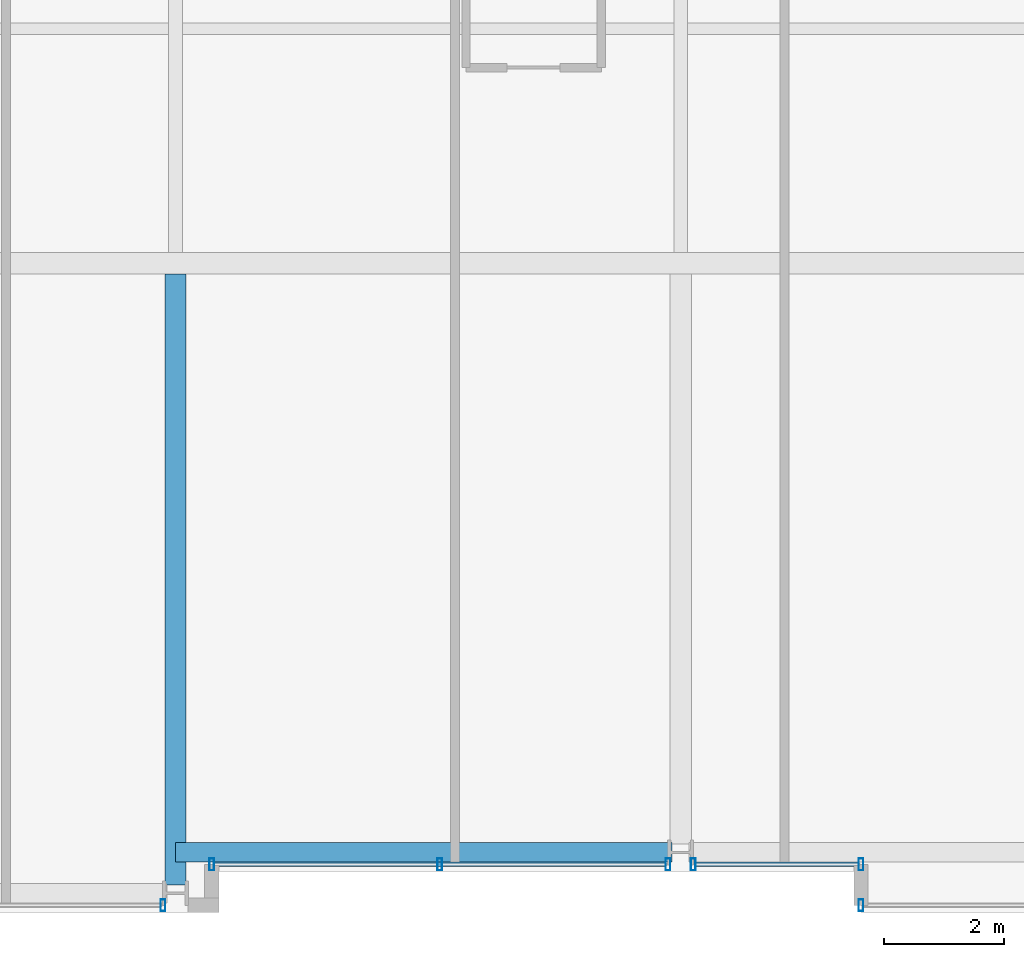
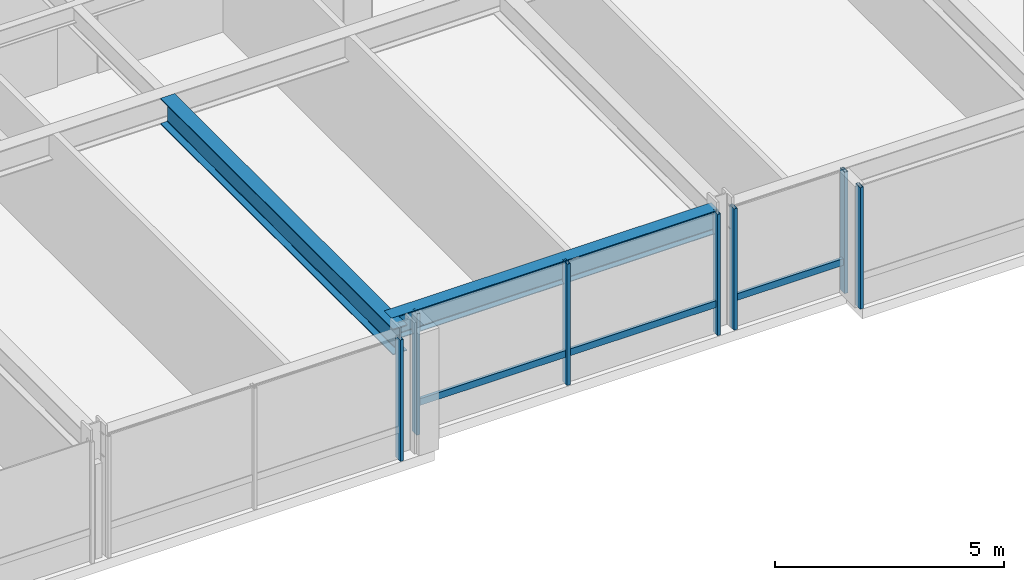
# One storey, part 5 of 33: 9 members, 2 beams, 4 elements without a shape of their own.
"""IFC4 building model written with IfcOpenShell, lengths in metres."""

import ifcopenshell
import ifcopenshell.guid

model = None  # the IFC model being written
_history = None  # IfcOwnerHistory: only IFC2X3 demands one
_inside = {}  # id of a spatial element -> (the spatial element, [elements in it])
_under = {}  # id of a project, library or spatial element -> (it, [spatial elements below it])
_declared = {}  # id of a project -> (the project, [libraries it declares])
_typed = {}  # id of a type object -> (the type object, [elements of that type])
_made_of = {}  # id of a material, layer set ... -> (it, [elements and type objects made of it])


def new_model(schema):
    """Start an empty IFC model of exactly this schema.

    Asked for "IFC4X3", IfcOpenShell would pick the latest addendum, in which some entities
    have other attributes; the version numbers below select the first issue.
    IFC2X3 requires an IfcOwnerHistory on every rooted entity: one is made here for all.
    """
    global model, _history
    if schema == "IFC4X3":
        model = ifcopenshell.file(schema_version=(4, 3, 0, 0))
    else:
        model = ifcopenshell.file(schema=schema)
    _inside.clear()
    _under.clear()
    _declared.clear()
    _typed.clear()
    _made_of.clear()
    _history = None
    if model.schema == "IFC2X3":
        org = make("IfcOrganization", Name="unknown")
        user = make(
            "IfcPersonAndOrganization",
            ThePerson=make("IfcPerson", FamilyName="unknown"),
            TheOrganization=org,
        )
        app = make(
            "IfcApplication",
            ApplicationDeveloper=org,
            Version="unknown",
            ApplicationFullName="unknown",
            ApplicationIdentifier="unknown",
        )
        _history = make(
            "IfcOwnerHistory",
            OwningUser=user,
            OwningApplication=app,
            ChangeAction="ADDED",
            CreationDate=0,
        )
    return model


def make(cls, **values):
    """One entity of the class cls with the attributes given. An attribute that is None is left unset."""
    return model.create_entity(
        cls, **{name: value for name, value in values.items() if value is not None}
    )


def rooted(cls, **values):
    """An entity with a GlobalId (a new one), such as an element, a storey or a relation."""
    return make(cls, GlobalId=ifcopenshell.guid.new(), OwnerHistory=_history, **values)


def si_unit(unit_type, name, prefix=None):
    """IfcSIUnit, for example si_unit("LENGTHUNIT", "METRE", prefix="MILLI")."""
    return make("IfcSIUnit", UnitType=unit_type, Prefix=prefix, Name=name)


def assignment(units):
    """IfcUnitAssignment: the units of a project."""
    return None if units is None else make("IfcUnitAssignment", Units=units)


def point(xyz):
    """IfcCartesianPoint."""
    return None if xyz is None else make("IfcCartesianPoint", Coordinates=xyz)


def direction(xyz):
    """IfcDirection."""
    return None if xyz is None else make("IfcDirection", DirectionRatios=xyz)


def frame(location, z_axis=None, x_axis=None):
    """IfcAxis2Placement3D, a coordinate frame: its origin and axes. An axis left out is left unset."""
    return make(
        "IfcAxis2Placement3D",
        Location=point(location),
        Axis=direction(z_axis),
        RefDirection=direction(x_axis),
    )


def frame_2d(location, x_axis=None):
    """IfcAxis2Placement2D, a coordinate frame in the plane: its origin and x axis."""
    return make(
        "IfcAxis2Placement2D", Location=point(location), RefDirection=direction(x_axis)
    )


def origin():
    """The frame at (0, 0, 0) with its axes left unset."""
    return frame((0.0, 0.0, 0.0))


def origin_2d():
    """The frame at (0, 0) in the plane with its x axis left unset."""
    return frame_2d((0.0, 0.0))


def place(relative_to, where):
    """IfcLocalPlacement: puts the frame where relative to a parent placement (None: the world)."""
    return make(
        "IfcLocalPlacement", PlacementRelTo=relative_to, RelativePlacement=where
    )


def context(
    kind, dimensions, precision=None, world=None, true_north=None, identifier=None
):
    """IfcGeometricRepresentationContext, for example the 3D "Model" context."""
    return make(
        "IfcGeometricRepresentationContext",
        ContextIdentifier=identifier,
        ContextType=kind,
        CoordinateSpaceDimension=dimensions,
        Precision=precision,
        WorldCoordinateSystem=world,
        TrueNorth=true_north,
    )


def subcontext(parent, identifier, kind, view, scale=None):
    """IfcGeometricRepresentationSubContext, for example "Body" below "Model"."""
    return make(
        "IfcGeometricRepresentationSubContext",
        ContextIdentifier=identifier,
        ContextType=kind,
        ParentContext=parent,
        TargetScale=scale,
        TargetView=view,
    )


def project(units=None, contexts=None):
    """IfcProject with its units and contexts."""
    return rooted(
        "IfcProject",
        Name="project",
        RepresentationContexts=contexts,
        UnitsInContext=assignment(units),
    )


def spatial(cls, under=None, at=None, **own):
    """A site, building, storey or space (cls), placed at a placement, below another one or the project."""
    s = rooted(cls, ObjectPlacement=at, **own)
    if under is not None:
        _under.setdefault(under.id(), (under, []))[1].append(s)
    return s


def profile(cls, at=None, kind="AREA", **sizes):
    """A parametric profile (cls). Its sizes go by their IFC names, for example OverallWidth=200.0."""
    return make(cls, ProfileType=kind, Position=at, **sizes)


def hollow_rectangle(**sizes):
    """IfcRectangleHollowProfileDef."""
    return profile("IfcRectangleHollowProfileDef", **sizes)


def i_section(**sizes):
    """IfcIShapeProfileDef."""
    return profile("IfcIShapeProfileDef", **sizes)


def extrude(swept, where, along, depth):
    """IfcExtrudedAreaSolid: the profile swept, set in the frame where, extruded along a direction by depth."""
    return make(
        "IfcExtrudedAreaSolid",
        SweptArea=swept,
        Position=where,
        ExtrudedDirection=direction(along),
        Depth=depth,
    )


def shape(context_of_items, identifier, shape_type, items):
    """IfcShapeRepresentation: the items that make up one representation, for example the "Body"."""
    return make(
        "IfcShapeRepresentation",
        ContextOfItems=context_of_items,
        RepresentationIdentifier=identifier,
        RepresentationType=shape_type,
        Items=items,
    )


def material(Name=None, Category=None):
    """IfcMaterial."""
    return make("IfcMaterial", Name=Name, Category=Category)


def layer(
    of_material, thickness, ventilated=None, Name=None, Category=None, Priority=None
):
    """IfcMaterialLayer: one layer of a wall or slab, of a material (None: an air gap)."""
    return make(
        "IfcMaterialLayer",
        Material=of_material,
        LayerThickness=thickness,
        IsVentilated=ventilated,
        Name=Name,
        Category=Category,
        Priority=Priority,
    )


def layer_set(layers, Name=None):
    """IfcMaterialLayerSet."""
    return make("IfcMaterialLayerSet", MaterialLayers=layers, LayerSetName=Name)


def material_profile(
    of_material, cross_section, Name=None, Category=None, Priority=None
):
    """IfcMaterialProfile: a cross section and its material."""
    return make(
        "IfcMaterialProfile",
        Name=Name,
        Material=of_material,
        Profile=cross_section,
        Priority=Priority,
        Category=Category,
    )


def profile_set(profiles, Name=None, composite=None):
    """IfcMaterialProfileSet."""
    return make(
        "IfcMaterialProfileSet",
        Name=Name,
        MaterialProfiles=profiles,
        CompositeProfile=composite,
    )


def made_of(thing, what):
    """Note that an element or type object is made of a material, layer set ...; save() writes the relation."""
    if what is not None:
        _made_of.setdefault(what.id(), (what, []))[1].append(thing)
    return thing


def type_object(cls, material=None, **own):
    """A type object (cls), such as IfcWallType, which elements share."""
    return made_of(rooted(cls, **own), material)


def element(
    cls,
    number,
    at=None,
    inside=None,
    cuts=None,
    type_object=None,
    material=None,
    context=None,
    identifier="Body",
    shape_type=None,
    held_by="IfcProductDefinitionShape",
    body=None,
    shapes=None,
    **own,
):
    """One element of the class cls, such as IfcWall. Its Tag is "e" and its number.

    at: its placement. inside: the storey or other place that contains it. cuts: it is an
    opening in that element (IfcRelVoidsElement). A single representation is given by context,
    identifier, shape_type and body (its items); several are given by shapes. held_by: the class
    of the entity that holds the representations. save() writes the other relations.
    """
    e = rooted(cls, Tag="e%d" % number, ObjectPlacement=at, **own)
    if body is not None:
        shapes = [shape(context, identifier, shape_type, body)]
    if shapes is not None:
        e.Representation = make(held_by, Representations=shapes)
    if inside is not None:
        _inside.setdefault(inside.id(), (inside, []))[1].append(e)
    if cuts is not None:
        rooted(
            "IfcRelVoidsElement", RelatingBuildingElement=cuts, RelatedOpeningElement=e
        )
    if type_object is not None:
        _typed.setdefault(type_object.id(), (type_object, []))[1].append(e)
    return made_of(e, material)


def aggregate(whole, parts):
    """IfcRelAggregates: a whole, such as a stair, and the parts it consists of."""
    return rooted("IfcRelAggregates", RelatingObject=whole, RelatedObjects=parts)


def save(model, path):
    """Write the relations noted so far, then the file.

    IfcRelAggregates (storeys below a building ...), IfcRelContainedInSpatialStructure (elements
    in a storey), IfcRelDefinesByType, IfcRelAssociatesMaterial and IfcRelDeclares: one each for
    every whole, place, type object, material and project.
    """
    for whole, parts in _under.values():
        aggregate(whole, parts)
    for where, things in _inside.values():
        rooted(
            "IfcRelContainedInSpatialStructure",
            RelatedElements=things,
            RelatingStructure=where,
        )
    for kind, things in _typed.values():
        rooted("IfcRelDefinesByType", RelatedObjects=things, RelatingType=kind)
    for what, things in _made_of.values():
        rooted("IfcRelAssociatesMaterial", RelatedObjects=things, RelatingMaterial=what)
    for by, libraries in _declared.values():
        rooted("IfcRelDeclares", RelatingContext=by, RelatedDefinitions=libraries)
    model.write(path)


model = new_model("IFC4")

# Units and contexts
model_context = context("Model", 3, precision=1e-05, world=origin(), true_north=direction((0.0, 1.0)))
body_context = subcontext(model_context, "Body", "Model", "MODEL_VIEW")
ifc_project = project(units=[si_unit("LENGTHUNIT", "METRE"), si_unit("AREAUNIT", "SQUARE_METRE"), si_unit("VOLUMEUNIT", "CUBIC_METRE"), si_unit("PLANEANGLEUNIT", "RADIAN"), si_unit("MASSUNIT", "GRAM", prefix="KILO")], contexts=[model_context])

# Site, building, storey
site_placement = place(None, origin())
site = spatial("IfcSite", under=ifc_project, at=site_placement, CompositionType="ELEMENT")
building_placement = place(site_placement, origin())
building = spatial("IfcBuilding", under=site, at=building_placement, Name="Drelvath Grand Hotel", CompositionType="ELEMENT")
storey_placement = place(building_placement, frame((0.0, 0.0, 119.800048828125)))
storey = spatial("IfcBuildingStorey", under=building, at=storey_placement, Name="L30", CompositionType="ELEMENT", Elevation=119.800048828125)

# Curtain wall, member
ifc_material_1 = material(Name="Champagne Bronze Anodised Aluminium Frame", Category="aluminium")
ifc_layer = layer(ifc_material_1, 0.199951171875)
ifc_layer_set = layer_set([ifc_layer], Name="Champagne Bronze Anodised Aluminium Frame")
curtain_wall_type = type_object("IfcCurtainWallType", Name="Stick Curtain Wall CW-03 Champagne Bronze Mid-Rise", PredefinedType="NOTDEFINED", material=ifc_layer_set)
curtain_wall_1_placement = place(storey_placement, origin())
curtain_wall_1 = element("IfcCurtainWall", 1, at=curtain_wall_1_placement, inside=storey, type_object=curtain_wall_type, Name="L30 CW-03 Curtain Wall CW03-L30-SM1", PredefinedType="NOTDEFINED")
ifc_material_profile_1 = material_profile(ifc_material_1, hollow_rectangle(XDim=0.074951171875, YDim=0.179931640625, WallThickness=0.0048828125, at=origin_2d()), Name="HSS180X75X5")
ifc_profile_set_1 = profile_set([ifc_material_profile_1], Name="Champagne Bronze Anodised Aluminium Frame")
member_type_1 = type_object("IfcMemberType", Name="Curtain Wall Horizontal Transom CW-03 HSS180X75X5", PredefinedType="USERDEFINED", material=ifc_profile_set_1)
member_1_placement = place(storey_placement, frame((-0.24951171875, 0.800048828125, 0.81005859375), z_axis=(-1.0, 0.0, 0.0), x_axis=(0.0, -1.0, 0.0)))
member_1 = element("IfcMember", 2, at=member_1_placement, type_object=member_type_1, Name="CW03-L30-SM1 Sill Transom", ObjectType="TRANSOM", PredefinedType="USERDEFINED", context=body_context, shape_type="SweptSolid", body=[
    extrude(hollow_rectangle(XDim=0.074951171875, YDim=0.179931640625, WallThickness=0.0048828125, at=origin_2d()), origin(), (0.0, 0.0, 1.0), 7.510498046875),
])

curtain_wall_2_placement = place(storey_placement, origin())
curtain_wall_2 = element("IfcCurtainWall", 3, at=curtain_wall_2_placement, inside=storey, type_object=curtain_wall_type, Name="L30 CW-03 Curtain Wall CW03-L30-SM2", PredefinedType="NOTDEFINED")
member_2_placement = place(storey_placement, frame((2.9599609375, 0.800048828125, 0.81005859375), z_axis=(-1.0, 0.0, 0.0), x_axis=(0.0, -1.0, 0.0)))
member_2 = element("IfcMember", 4, at=member_2_placement, type_object=member_type_1, Name="CW03-L30-SM2 Sill Transom", ObjectType="TRANSOM", PredefinedType="USERDEFINED", context=body_context, shape_type="SweptSolid", body=[
    extrude(hollow_rectangle(XDim=0.074951171875, YDim=0.179931640625, WallThickness=0.0048828125, at=origin_2d()), origin(), (0.0, 0.0, 1.0), 2.71044921875),
])

curtain_wall_3_placement = place(storey_placement, origin())
curtain_wall_3 = element("IfcCurtainWall", 5, at=curtain_wall_3_placement, inside=storey, type_object=curtain_wall_type, Name="L30 CW-03 Curtain Wall CW03-L30-SE1", PredefinedType="NOTDEFINED")
ifc_material_profile_2 = material_profile(ifc_material_1, hollow_rectangle(XDim=0.080078125, YDim=0.199951171875, WallThickness=0.0048828125, at=origin_2d()), Name="HSS200X80X5")
ifc_profile_set_2 = profile_set([ifc_material_profile_2], Name="Champagne Bronze Anodised Aluminium Frame")
member_type_2 = type_object("IfcMemberType", Name="Curtain Wall Vertical Mullion CW-03 HSS200X80X5", PredefinedType="MULLION", material=ifc_profile_set_2)
member_3_placement = place(storey_placement, frame((3.0, 0.1201171875, 0.0), z_axis=(0.0, 0.0, 1.0), x_axis=(1.0, 0.0, 0.0)))
member_3 = element("IfcMember", 6, at=member_3_placement, type_object=member_type_2, Name="CW03-L30-SE1 Mullion 2", PredefinedType="MULLION", context=body_context, shape_type="SweptSolid", body=[
    extrude(hollow_rectangle(XDim=0.080078125, YDim=0.199951171875, WallThickness=0.0048828125, at=origin_2d()), origin(), (0.0, 0.0, 1.0), 3.239990234375),
])
aggregate(curtain_wall_3, [member_3])

# Member
member_4_placement = place(storey_placement, frame((-0.20947265625, 0.800048828125, 0.0), z_axis=(0.0, 0.0, 1.0), x_axis=(1.0, 0.0, 0.0)))
member_4 = element("IfcMember", 7, at=member_4_placement, type_object=member_type_2, Name="CW03-L30-SM1 Mullion 1", PredefinedType="MULLION", context=body_context, shape_type="SweptSolid", body=[
    extrude(hollow_rectangle(XDim=0.080078125, YDim=0.199951171875, WallThickness=0.0048828125, at=origin_2d()), origin(), (0.0, 0.0, 1.0), 3.239990234375),
])

member_5_placement = place(storey_placement, frame((-4.004638671875, 0.800048828125, 0.0), z_axis=(0.0, 0.0, 1.0), x_axis=(1.0, 0.0, 0.0)))
member_5 = element("IfcMember", 8, at=member_5_placement, type_object=member_type_2, Name="CW03-L30-SM1 Mullion 2", PredefinedType="MULLION", context=body_context, shape_type="SweptSolid", body=[
    extrude(hollow_rectangle(XDim=0.080078125, YDim=0.199951171875, WallThickness=0.0048828125, at=origin_2d()), origin(), (0.0, 0.0, 1.0), 3.239990234375),
])

member_6_placement = place(storey_placement, frame((-7.800048828125, 0.800048828125, 0.0), z_axis=(0.0, 0.0, 1.0), x_axis=(1.0, 0.0, 0.0)))
member_6 = element("IfcMember", 9, at=member_6_placement, type_object=member_type_2, Name="CW03-L30-SM1 Mullion 3", PredefinedType="MULLION", context=body_context, shape_type="SweptSolid", body=[
    extrude(hollow_rectangle(XDim=0.080078125, YDim=0.199951171875, WallThickness=0.0048828125, at=origin_2d()), origin(), (0.0, 0.0, 1.0), 3.239990234375),
])

aggregate(curtain_wall_1, [member_4, member_5, member_6, member_1])

member_7_placement = place(storey_placement, frame((3.0, 0.800048828125, 0.0), z_axis=(0.0, 0.0, 1.0), x_axis=(1.0, 0.0, 0.0)))
member_7 = element("IfcMember", 10, at=member_7_placement, type_object=member_type_2, Name="CW03-L30-SM2 Mullion 1", PredefinedType="MULLION", context=body_context, shape_type="SweptSolid", body=[
    extrude(hollow_rectangle(XDim=0.080078125, YDim=0.199951171875, WallThickness=0.0048828125, at=origin_2d()), origin(), (0.0, 0.0, 1.0), 3.239990234375),
])

member_8_placement = place(storey_placement, frame((0.20947265625, 0.800048828125, 0.0), z_axis=(0.0, 0.0, 1.0), x_axis=(1.0, 0.0, 0.0)))
member_8 = element("IfcMember", 11, at=member_8_placement, type_object=member_type_2, Name="CW03-L30-SM2 Mullion 2", PredefinedType="MULLION", context=body_context, shape_type="SweptSolid", body=[
    extrude(hollow_rectangle(XDim=0.080078125, YDim=0.199951171875, WallThickness=0.0048828125, at=origin_2d()), origin(), (0.0, 0.0, 1.0), 3.239990234375),
])

aggregate(curtain_wall_2, [member_7, member_8, member_2])

# Curtain wall, member
curtain_wall_4_placement = place(storey_placement, origin())
curtain_wall_4 = element("IfcCurtainWall", 12, at=curtain_wall_4_placement, inside=storey, type_object=curtain_wall_type, Name="L30 CW-03 Curtain Wall CW03-L30-SW2", PredefinedType="NOTDEFINED")
member_9_placement = place(storey_placement, frame((-8.609375, 0.1201171875, 0.0), z_axis=(0.0, 0.0, 1.0), x_axis=(1.0, 0.0, 0.0)))
member_9 = element("IfcMember", 13, at=member_9_placement, type_object=member_type_2, Name="CW03-L30-SW2 Mullion 1", PredefinedType="MULLION", context=body_context, shape_type="SweptSolid", body=[
    extrude(hollow_rectangle(XDim=0.080078125, YDim=0.199951171875, WallThickness=0.0048828125, at=origin_2d()), origin(), (0.0, 0.0, 1.0), 3.239990234375),
])
aggregate(curtain_wall_4, [member_9])

# Beams
ifc_material_2 = material(Name="Steel ASTM A992 Gr 50", Category="steel")
ifc_material_profile_3 = material_profile(ifc_material_2, i_section(OverallWidth=0.323974609375, OverallDepth=0.611083984375, WebThickness=0.0126953125, FlangeThickness=0.01904296875, FilletRadius=0.02197265625, at=origin_2d()), Name="W24X104")
ifc_profile_set_3 = profile_set([ifc_material_profile_3], Name="Steel ASTM A992 Gr 50")
beam_type_1 = type_object("IfcBeamType", Name="Perimeter Spandrel Beam W24X104", PredefinedType="SPANDREL", material=ifc_profile_set_3)
beam_1_placement = place(storey_placement, frame((-8.39990234375, 1.0, 2.9345703125), z_axis=(1.0, 0.0, 0.0), x_axis=(0.0, 1.0, 0.0)))
element("IfcBeam", 14, at=beam_1_placement, inside=storey, type_object=beam_type_1, Name="L30 Spandrel South Mid W", PredefinedType="SPANDREL", context=body_context, shape_type="SweptSolid", body=[
    extrude(i_section(OverallWidth=0.323974609375, OverallDepth=0.611083984375, WebThickness=0.0126953125, FlangeThickness=0.01904296875, FilletRadius=0.02197265625, at=origin_2d()), origin(), (0.0, 0.0, 1.0), 8.260009765625),
])
ifc_material_profile_4 = material_profile(ifc_material_2, i_section(OverallWidth=0.354736328125, OverallDepth=0.695556640625, WebThickness=0.015380859375, FlangeThickness=0.025146484375, FilletRadius=0.02392578125, at=origin_2d()), Name="W27X146")
ifc_profile_set_4 = profile_set([ifc_material_profile_4], Name="Steel ASTM A992 Gr 50")
beam_type_2 = type_object("IfcBeamType", Name="Primary Floor Girder W27X146", PredefinedType="BEAM", material=ifc_profile_set_4)
beam_2_placement = place(storey_placement, frame((-8.39990234375, 0.4599609375, 2.892333984375), z_axis=(0.0, 1.0, 0.0), x_axis=(-1.0, 0.0, 0.0)))
element("IfcBeam", 15, at=beam_2_placement, inside=storey, type_object=beam_type_2, Name="L30 South Wing Girder 4", PredefinedType="BEAM", context=body_context, shape_type="SweptSolid", body=[
    extrude(i_section(OverallWidth=0.354736328125, OverallDepth=0.695556640625, WebThickness=0.015380859375, FlangeThickness=0.025146484375, FilletRadius=0.02392578125, at=origin_2d()), origin(), (0.0, 0.0, 1.0), 10.16259765625),
])

save(model, "model.ifc")
